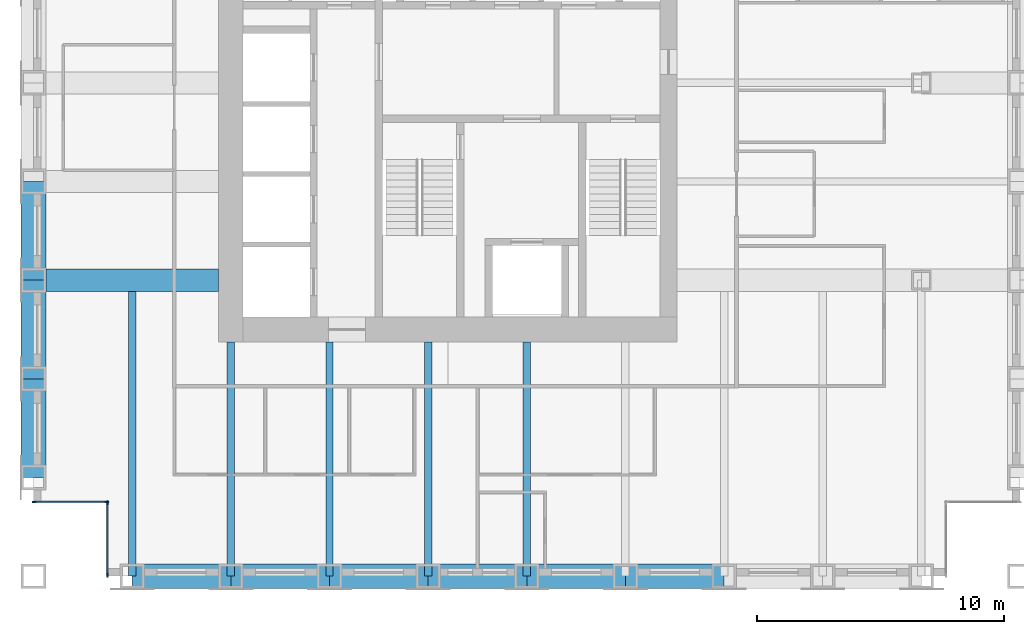
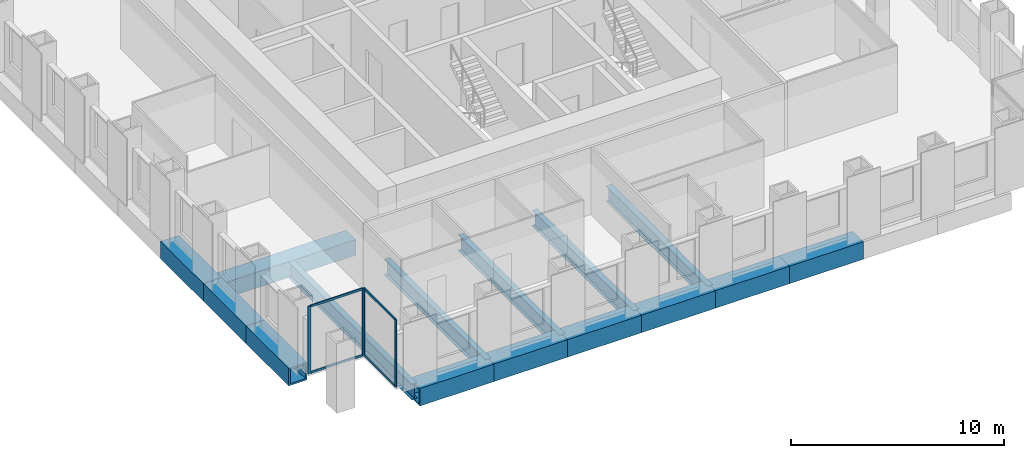
# One storey, part 2 of 14: 15 beams, 8 members, 2 elements without a shape of their own.
"""IFC4 building model written with IfcOpenShell, lengths in metres."""

from ifc_helpers import new_model, si_unit, direction, frame, origin, origin_2d, place, context, subcontext, project, spatial, rectangle, hollow_rectangle, i_section, extrude, material, material_profile, profile_set, type_object, element, aggregate, save


model = new_model("IFC4")

# Units and contexts
model_context = context("Model", 3, precision=1e-05, world=origin(), true_north=direction((0.0, 1.0)))
body_context = subcontext(model_context, "Body", "Model", "MODEL_VIEW")
ifc_project = project(units=[si_unit("LENGTHUNIT", "METRE"), si_unit("AREAUNIT", "SQUARE_METRE"), si_unit("VOLUMEUNIT", "CUBIC_METRE"), si_unit("PLANEANGLEUNIT", "RADIAN"), si_unit("MASSUNIT", "GRAM", prefix="KILO")], contexts=[model_context])

# Site, building, storey
site_placement = place(None, origin())
site = spatial("IfcSite", under=ifc_project, at=site_placement, CompositionType="ELEMENT")
building_placement = place(site_placement, origin())
building = spatial("IfcBuilding", under=site, at=building_placement, Name="Rimbunsela Tower", CompositionType="ELEMENT")
storey_placement = place(building_placement, frame((0.0, 0.0, 230.199951171875)))
storey = spatial("IfcBuildingStorey", under=building, at=storey_placement, Name="L55", CompositionType="ELEMENT", Elevation=230.199951171875)

# Beams
ifc_material_1 = material(Name="Steel BJ 55 (fy 410 MPa)", Category="steel")
ifc_material_profile_1 = material_profile(ifc_material_1, hollow_rectangle(XDim=1.0, YDim=1.0, WallThickness=0.10009765625, at=origin_2d()), Name="BOX 1000x1000x100")
ifc_profile_set_1 = profile_set([ifc_material_profile_1], Name="Steel BJ 55 (fy 410 MPa)")
beam_type_1 = type_object("IfcBeamType", Name="Beam BOX 1000x1000x100", PredefinedType="BEAM", material=ifc_profile_set_1)
for number, where, z_axis, x_axis, name in (
    (1, (10.0, 12.0, -0.64990234375), (0.0, 1.0, 0.0), (-1.0, 0.0, 0.0), "Beam B3 L55"),
    (2, (10.0, 16.0, -0.64990234375), (0.0, 1.0, 0.0), (-1.0, 0.0, 0.0), "Beam B3 L55"),
    (3, (10.0, 20.0, -0.64990234375), (0.0, 1.0, 0.0), (-1.0, 0.0, 0.0), "Beam B3 L55"),
    (4, (14.0, 8.0, -0.64990234375), (1.0, 0.0, 0.0), (0.0, 1.0, 0.0), "Beam B3 L55"),
    (5, (18.0, 8.0, -0.64990234375), (1.0, 0.0, 0.0), (0.0, 1.0, 0.0), "Beam B3 L55"),
    (6, (22.0, 8.0, -0.64990234375), (1.0, 0.0, 0.0), (0.0, 1.0, 0.0), "Beam B3 L55"),
    (7, (26.0, 8.0, -0.64990234375), (1.0, 0.0, 0.0), (0.0, 1.0, 0.0), "Beam B3 L55"),
    (8, (30.0, 8.0, -0.64990234375), (1.0, 0.0, 0.0), (0.0, 1.0, 0.0), "Beam B3 L55"),
    (9, (34.0, 8.0, -0.64990234375), (1.0, 0.0, 0.0), (0.0, 1.0, 0.0), "Beam B3 L55"),
):
    element("IfcBeam", number, at=place(storey_placement, frame(where, z_axis=z_axis, x_axis=x_axis)), inside=storey, type_object=beam_type_1, Name=name, PredefinedType="BEAM", context=body_context, shape_type="SweptSolid", body=[
        extrude(hollow_rectangle(XDim=1.0, YDim=1.0, WallThickness=0.10009765625, at=origin_2d()), origin(), (0.0, 0.0, 1.0), 4.0),
    ])
ifc_material_2 = material(Name="Steel BJ 55 (fy 410 MPa)", Category="steel")
ifc_material_profile_2 = material_profile(ifc_material_2, hollow_rectangle(XDim=0.89990234375, YDim=0.89990234375, WallThickness=0.06005859375, at=origin_2d()), Name="BOX 900x900x60")
ifc_profile_set_2 = profile_set([ifc_material_profile_2], Name="Steel BJ 55 (fy 410 MPa)")
beam_type_2 = type_object("IfcBeamType", Name="Beam BOX 900x900x60", PredefinedType="BEAM", material=ifc_profile_set_2)
beam_1_placement = place(storey_placement, frame((10.0, 20.0, -0.599853515625), z_axis=(1.0, 0.0, 0.0), x_axis=(0.0, 1.0, 0.0)))
element("IfcBeam", 10, at=beam_1_placement, inside=storey, type_object=beam_type_2, Name="Beam B1 L55", PredefinedType="BEAM", context=body_context, shape_type="SweptSolid", body=[
    extrude(hollow_rectangle(XDim=0.89990234375, YDim=0.89990234375, WallThickness=0.06005859375, at=origin_2d()), origin(), (0.0, 0.0, 1.0), 7.5),
])
ifc_material_3 = material(Name="Steel BJ 55 (fy 410 MPa)", Category="steel")
ifc_material_profile_3 = material_profile(ifc_material_3, i_section(OverallWidth=0.300048828125, OverallDepth=0.89990234375, WebThickness=0.01611328125, FlangeThickness=0.028076171875, FilletRadius=0.028076171875, at=origin_2d()), Name="H 900x300x16x28")
ifc_profile_set_3 = profile_set([ifc_material_profile_3], Name="Steel BJ 55 (fy 410 MPa)")
beam_type_3 = type_object("IfcBeamType", Name="Beam H 900x300x16x28", PredefinedType="BEAM", material=ifc_profile_set_3)
beam_2_placement = place(storey_placement, frame((14.0, 8.0, -0.599853515625), z_axis=(0.0, 1.0, 0.0), x_axis=(-1.0, 0.0, 0.0)))
element("IfcBeam", 11, at=beam_2_placement, inside=storey, type_object=beam_type_3, Name="Beam B2 L55", PredefinedType="BEAM", context=body_context, shape_type="SweptSolid", body=[
    extrude(i_section(OverallWidth=0.300048828125, OverallDepth=0.89990234375, WebThickness=0.01611328125, FlangeThickness=0.028076171875, FilletRadius=0.028076171875, at=origin_2d()), origin(), (0.0, 0.0, 1.0), 11.550048828125),
])
for number, where, z_axis, x_axis, name in (
    (12, (18.0, 8.0, -0.599853515625), (0.0, 1.0, 0.0), (-1.0, 0.0, 0.0), "Beam B2 L55"),
    (13, (22.0, 8.0, -0.599853515625), (0.0, 1.0, 0.0), (-1.0, 0.0, 0.0), "Beam B2 L55"),
    (14, (26.0, 8.0, -0.599853515625), (0.0, 1.0, 0.0), (-1.0, 0.0, 0.0), "Beam B2 L55"),
    (15, (30.0, 8.0, -0.599853515625), (0.0, 1.0, 0.0), (-1.0, 0.0, 0.0), "Beam B2 L55"),
):
    element("IfcBeam", number, at=place(storey_placement, frame(where, z_axis=z_axis, x_axis=x_axis)), inside=storey, type_object=beam_type_3, Name=name, PredefinedType="BEAM", context=body_context, shape_type="SweptSolid", body=[
        extrude(i_section(OverallWidth=0.300048828125, OverallDepth=0.89990234375, WebThickness=0.01611328125, FlangeThickness=0.028076171875, FilletRadius=0.028076171875, at=origin_2d()), origin(), (0.0, 0.0, 1.0), 9.5),
    ])

# Curtain wall, members
ifc_material_4 = material(Name="Aluminium curtain wall", Category="aluminium")
curtain_wall_type = type_object("IfcCurtainWallType", Name="Corner glazing", PredefinedType="USERDEFINED", material=ifc_material_4)
curtain_wall_1_placement = place(storey_placement, origin())
curtain_wall_1 = element("IfcCurtainWall", 16, at=curtain_wall_1_placement, inside=storey, type_object=curtain_wall_type, Name="Corner glazing L55", ObjectType="CORNER GLAZING", PredefinedType="USERDEFINED")
ifc_material_5 = material(Name="Aluminium mullion", Category="aluminium")
ifc_material_profile_4 = material_profile(ifc_material_5, rectangle(XDim=0.06005859375, YDim=0.159912109375, at=origin_2d()), Name="Mullion 60x160")
ifc_profile_set_4 = profile_set([ifc_material_profile_4], Name="Aluminium mullion")
member_type_1 = type_object("IfcMemberType", Name="Curtain wall mullion 60x160", PredefinedType="MULLION", material=ifc_profile_set_4)
member_1_placement = place(storey_placement, frame((10.030029296875, 11.0, 0.0), z_axis=(0.0, 0.0, 1.0), x_axis=(0.0, 1.0, 0.0)))
member_1 = element("IfcMember", 17, at=member_1_placement, type_object=member_type_1, Name="CW5 mullion 1", PredefinedType="MULLION", context=body_context, shape_type="SweptSolid", body=[
    extrude(rectangle(XDim=0.06005859375, YDim=0.159912109375, at=origin_2d()), origin(), (0.0, 0.0, 1.0), 3.85009765625),
])
member_2_placement = place(storey_placement, frame((12.969970703125, 11.0, 0.0), z_axis=(0.0, 0.0, 1.0), x_axis=(0.0, 1.0, 0.0)))
member_2 = element("IfcMember", 18, at=member_2_placement, type_object=member_type_1, Name="CW5 mullion 2", PredefinedType="MULLION", context=body_context, shape_type="SweptSolid", body=[
    extrude(rectangle(XDim=0.06005859375, YDim=0.159912109375, at=origin_2d()), origin(), (0.0, 0.0, 1.0), 3.85009765625),
])

curtain_wall_2_placement = place(storey_placement, origin())
curtain_wall_2 = element("IfcCurtainWall", 19, at=curtain_wall_2_placement, inside=storey, type_object=curtain_wall_type, Name="Corner glazing L55", ObjectType="CORNER GLAZING", PredefinedType="USERDEFINED")
member_3_placement = place(storey_placement, frame((13.0, 10.969970703125, 0.0), z_axis=(0.0, 0.0, 1.0), x_axis=(1.0, 0.0, 0.0)))
member_3 = element("IfcMember", 20, at=member_3_placement, type_object=member_type_1, Name="CW5 mullion 1", PredefinedType="MULLION", context=body_context, shape_type="SweptSolid", body=[
    extrude(rectangle(XDim=0.06005859375, YDim=0.159912109375, at=origin_2d()), origin(), (0.0, 0.0, 1.0), 3.85009765625),
])
member_4_placement = place(storey_placement, frame((13.0, 8.030029296875, 0.0), z_axis=(0.0, 0.0, 1.0), x_axis=(1.0, 0.0, 0.0)))
member_4 = element("IfcMember", 21, at=member_4_placement, type_object=member_type_1, Name="CW5 mullion 2", PredefinedType="MULLION", context=body_context, shape_type="SweptSolid", body=[
    extrude(rectangle(XDim=0.06005859375, YDim=0.159912109375, at=origin_2d()), origin(), (0.0, 0.0, 1.0), 3.85009765625),
])

# Member
ifc_material_6 = material(Name="Aluminium transom", Category="aluminium")
ifc_material_profile_5 = material_profile(ifc_material_6, rectangle(XDim=0.06005859375, YDim=0.1201171875, at=origin_2d()), Name="Transom 60x120")
ifc_profile_set_5 = profile_set([ifc_material_profile_5], Name="Aluminium transom")
member_type_2 = type_object("IfcMemberType", Name="Curtain wall transom 60x120", PredefinedType="USERDEFINED", material=ifc_profile_set_5)
member_5_placement = place(storey_placement, frame((10.06005859375, 11.0, 0.030029296875), z_axis=(1.0, 0.0, 0.0), x_axis=(0.0, 1.0, 0.0)))
member_5 = element("IfcMember", 22, at=member_5_placement, type_object=member_type_2, Name="CW5 transom 1.1", ObjectType="TRANSOM", PredefinedType="USERDEFINED", context=body_context, shape_type="SweptSolid", body=[
    extrude(rectangle(XDim=0.06005859375, YDim=0.1201171875, at=origin_2d()), origin(), (0.0, 0.0, 1.0), 2.8798828125),
])

member_6_placement = place(storey_placement, frame((10.06005859375, 11.0, 3.820068359375), z_axis=(1.0, 0.0, 0.0), x_axis=(0.0, 1.0, 0.0)))
member_6 = element("IfcMember", 23, at=member_6_placement, type_object=member_type_2, Name="CW5 transom 1.2", ObjectType="TRANSOM", PredefinedType="USERDEFINED", context=body_context, shape_type="SweptSolid", body=[
    extrude(rectangle(XDim=0.06005859375, YDim=0.1201171875, at=origin_2d()), origin(), (0.0, 0.0, 1.0), 2.8798828125),
])

aggregate(curtain_wall_1, [member_1, member_2, member_5, member_6])

member_7_placement = place(storey_placement, frame((13.0, 10.93994140625, 0.030029296875), z_axis=(0.0, -1.0, 0.0), x_axis=(1.0, 0.0, 0.0)))
member_7 = element("IfcMember", 24, at=member_7_placement, type_object=member_type_2, Name="CW5 transom 1.1", ObjectType="TRANSOM", PredefinedType="USERDEFINED", context=body_context, shape_type="SweptSolid", body=[
    extrude(rectangle(XDim=0.06005859375, YDim=0.1201171875, at=origin_2d()), origin(), (0.0, 0.0, 1.0), 2.8798828125),
])

member_8_placement = place(storey_placement, frame((13.0, 10.93994140625, 3.820068359375), z_axis=(0.0, -1.0, 0.0), x_axis=(1.0, 0.0, 0.0)))
member_8 = element("IfcMember", 25, at=member_8_placement, type_object=member_type_2, Name="CW5 transom 1.2", ObjectType="TRANSOM", PredefinedType="USERDEFINED", context=body_context, shape_type="SweptSolid", body=[
    extrude(rectangle(XDim=0.06005859375, YDim=0.1201171875, at=origin_2d()), origin(), (0.0, 0.0, 1.0), 2.8798828125),
])

aggregate(curtain_wall_2, [member_3, member_4, member_7, member_8])

save(model, "model.ifc")
